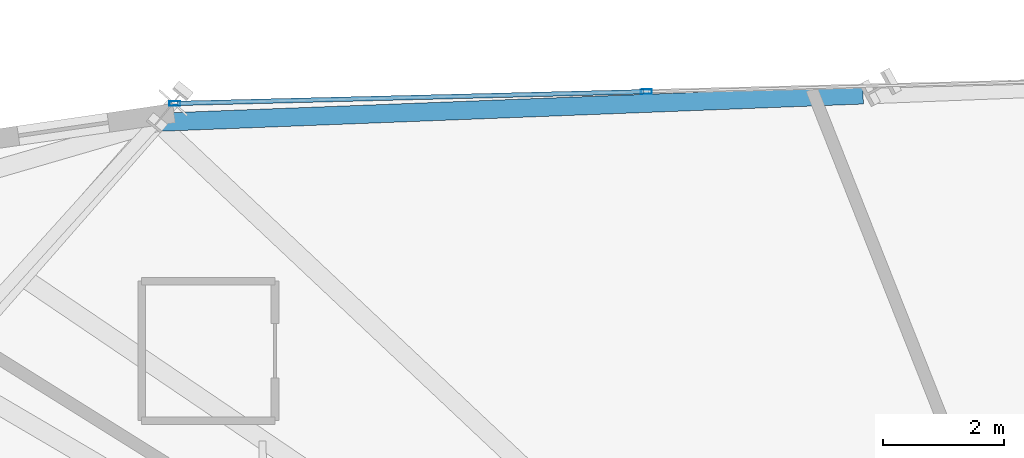
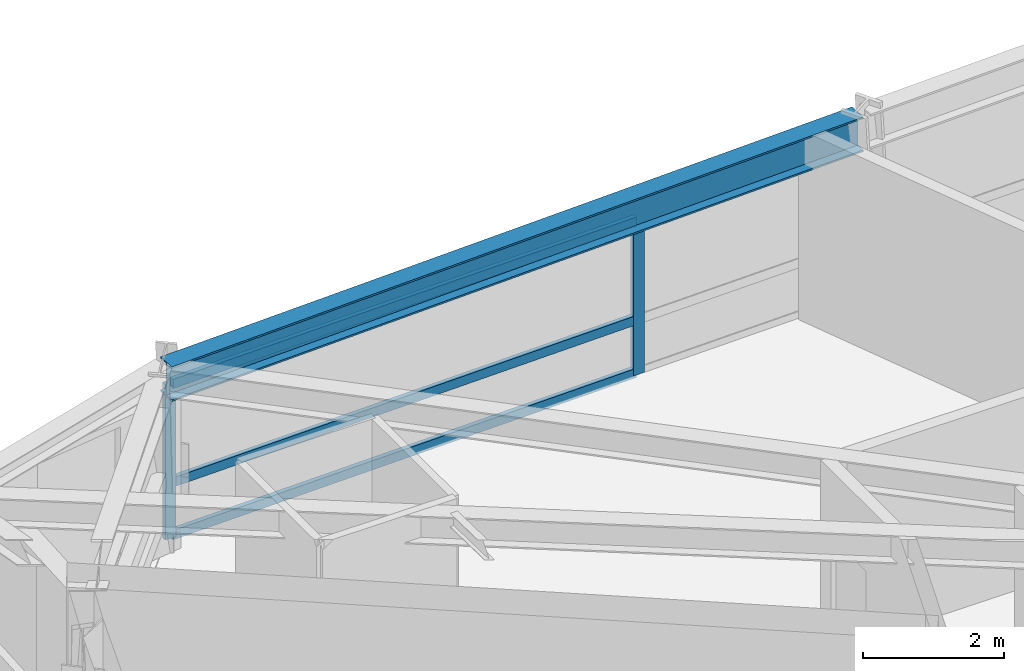
# One storey, part 6 of 20: 5 members, 1 beam, 1 element without a shape of its own.
"""IFC4 building model written with IfcOpenShell, lengths in metres."""

import ifcopenshell
import ifcopenshell.guid

model = None  # the IFC model being written
_history = None  # IfcOwnerHistory: only IFC2X3 demands one
_inside = {}  # id of a spatial element -> (the spatial element, [elements in it])
_under = {}  # id of a project, library or spatial element -> (it, [spatial elements below it])
_declared = {}  # id of a project -> (the project, [libraries it declares])
_typed = {}  # id of a type object -> (the type object, [elements of that type])
_made_of = {}  # id of a material, layer set ... -> (it, [elements and type objects made of it])


def new_model(schema):
    """Start an empty IFC model of exactly this schema.

    Asked for "IFC4X3", IfcOpenShell would pick the latest addendum, in which some entities
    have other attributes; the version numbers below select the first issue.
    IFC2X3 requires an IfcOwnerHistory on every rooted entity: one is made here for all.
    """
    global model, _history
    if schema == "IFC4X3":
        model = ifcopenshell.file(schema_version=(4, 3, 0, 0))
    else:
        model = ifcopenshell.file(schema=schema)
    _inside.clear()
    _under.clear()
    _declared.clear()
    _typed.clear()
    _made_of.clear()
    _history = None
    if model.schema == "IFC2X3":
        org = make("IfcOrganization", Name="unknown")
        user = make(
            "IfcPersonAndOrganization",
            ThePerson=make("IfcPerson", FamilyName="unknown"),
            TheOrganization=org,
        )
        app = make(
            "IfcApplication",
            ApplicationDeveloper=org,
            Version="unknown",
            ApplicationFullName="unknown",
            ApplicationIdentifier="unknown",
        )
        _history = make(
            "IfcOwnerHistory",
            OwningUser=user,
            OwningApplication=app,
            ChangeAction="ADDED",
            CreationDate=0,
        )
    return model


def make(cls, **values):
    """One entity of the class cls with the attributes given. An attribute that is None is left unset."""
    return model.create_entity(
        cls, **{name: value for name, value in values.items() if value is not None}
    )


def rooted(cls, **values):
    """An entity with a GlobalId (a new one), such as an element, a storey or a relation."""
    return make(cls, GlobalId=ifcopenshell.guid.new(), OwnerHistory=_history, **values)


def si_unit(unit_type, name, prefix=None):
    """IfcSIUnit, for example si_unit("LENGTHUNIT", "METRE", prefix="MILLI")."""
    return make("IfcSIUnit", UnitType=unit_type, Prefix=prefix, Name=name)


def assignment(units):
    """IfcUnitAssignment: the units of a project."""
    return None if units is None else make("IfcUnitAssignment", Units=units)


def point(xyz):
    """IfcCartesianPoint."""
    return None if xyz is None else make("IfcCartesianPoint", Coordinates=xyz)


def direction(xyz):
    """IfcDirection."""
    return None if xyz is None else make("IfcDirection", DirectionRatios=xyz)


def frame(location, z_axis=None, x_axis=None):
    """IfcAxis2Placement3D, a coordinate frame: its origin and axes. An axis left out is left unset."""
    return make(
        "IfcAxis2Placement3D",
        Location=point(location),
        Axis=direction(z_axis),
        RefDirection=direction(x_axis),
    )


def frame_2d(location, x_axis=None):
    """IfcAxis2Placement2D, a coordinate frame in the plane: its origin and x axis."""
    return make(
        "IfcAxis2Placement2D", Location=point(location), RefDirection=direction(x_axis)
    )


def origin():
    """The frame at (0, 0, 0) with its axes left unset."""
    return frame((0.0, 0.0, 0.0))


def origin_2d():
    """The frame at (0, 0) in the plane with its x axis left unset."""
    return frame_2d((0.0, 0.0))


def place(relative_to, where):
    """IfcLocalPlacement: puts the frame where relative to a parent placement (None: the world)."""
    return make(
        "IfcLocalPlacement", PlacementRelTo=relative_to, RelativePlacement=where
    )


def context(
    kind, dimensions, precision=None, world=None, true_north=None, identifier=None
):
    """IfcGeometricRepresentationContext, for example the 3D "Model" context."""
    return make(
        "IfcGeometricRepresentationContext",
        ContextIdentifier=identifier,
        ContextType=kind,
        CoordinateSpaceDimension=dimensions,
        Precision=precision,
        WorldCoordinateSystem=world,
        TrueNorth=true_north,
    )


def subcontext(parent, identifier, kind, view, scale=None):
    """IfcGeometricRepresentationSubContext, for example "Body" below "Model"."""
    return make(
        "IfcGeometricRepresentationSubContext",
        ContextIdentifier=identifier,
        ContextType=kind,
        ParentContext=parent,
        TargetScale=scale,
        TargetView=view,
    )


def project(units=None, contexts=None):
    """IfcProject with its units and contexts."""
    return rooted(
        "IfcProject",
        Name="project",
        RepresentationContexts=contexts,
        UnitsInContext=assignment(units),
    )


def spatial(cls, under=None, at=None, **own):
    """A site, building, storey or space (cls), placed at a placement, below another one or the project."""
    s = rooted(cls, ObjectPlacement=at, **own)
    if under is not None:
        _under.setdefault(under.id(), (under, []))[1].append(s)
    return s


def profile(cls, at=None, kind="AREA", **sizes):
    """A parametric profile (cls). Its sizes go by their IFC names, for example OverallWidth=200.0."""
    return make(cls, ProfileType=kind, Position=at, **sizes)


def hollow_rectangle(**sizes):
    """IfcRectangleHollowProfileDef."""
    return profile("IfcRectangleHollowProfileDef", **sizes)


def i_section(**sizes):
    """IfcIShapeProfileDef."""
    return profile("IfcIShapeProfileDef", **sizes)


def extrude(swept, where, along, depth):
    """IfcExtrudedAreaSolid: the profile swept, set in the frame where, extruded along a direction by depth."""
    return make(
        "IfcExtrudedAreaSolid",
        SweptArea=swept,
        Position=where,
        ExtrudedDirection=direction(along),
        Depth=depth,
    )


def shape(context_of_items, identifier, shape_type, items):
    """IfcShapeRepresentation: the items that make up one representation, for example the "Body"."""
    return make(
        "IfcShapeRepresentation",
        ContextOfItems=context_of_items,
        RepresentationIdentifier=identifier,
        RepresentationType=shape_type,
        Items=items,
    )


def source(mapping_origin, context_of_items, identifier, shape_type, items):
    """IfcRepresentationMap: a shape defined once, which mapped items show again and again."""
    return make(
        "IfcRepresentationMap",
        MappingOrigin=mapping_origin,
        MappedRepresentation=shape(context_of_items, identifier, shape_type, items),
    )


def transform(
    local_origin,
    x_axis=None,
    y_axis=None,
    z_axis=None,
    scale=None,
    scale2=None,
    scale3=None,
    uniform=True,
):
    """IfcCartesianTransformationOperator3D, or its non-uniform kind. x_axis, y_axis, z_axis: its Axis1, 2, 3."""
    if uniform:
        return make(
            "IfcCartesianTransformationOperator3D",
            Axis1=direction(x_axis),
            Axis2=direction(y_axis),
            LocalOrigin=point(local_origin),
            Scale=scale,
            Axis3=direction(z_axis),
        )
    return make(
        "IfcCartesianTransformationOperator3DnonUniform",
        Axis1=direction(x_axis),
        Axis2=direction(y_axis),
        LocalOrigin=point(local_origin),
        Scale=scale,
        Axis3=direction(z_axis),
        Scale2=scale2,
        Scale3=scale3,
    )


def mapped(mapping_source, mapping_target):
    """IfcMappedItem: shows the shape of a source again, moved by a transform."""
    return make(
        "IfcMappedItem", MappingSource=mapping_source, MappingTarget=mapping_target
    )


def material(Name=None, Category=None):
    """IfcMaterial."""
    return make("IfcMaterial", Name=Name, Category=Category)


def material_profile(
    of_material, cross_section, Name=None, Category=None, Priority=None
):
    """IfcMaterialProfile: a cross section and its material."""
    return make(
        "IfcMaterialProfile",
        Name=Name,
        Material=of_material,
        Profile=cross_section,
        Priority=Priority,
        Category=Category,
    )


def profile_set(profiles, Name=None, composite=None):
    """IfcMaterialProfileSet."""
    return make(
        "IfcMaterialProfileSet",
        Name=Name,
        MaterialProfiles=profiles,
        CompositeProfile=composite,
    )


def made_of(thing, what):
    """Note that an element or type object is made of a material, layer set ...; save() writes the relation."""
    if what is not None:
        _made_of.setdefault(what.id(), (what, []))[1].append(thing)
    return thing


def type_object(cls, material=None, **own):
    """A type object (cls), such as IfcWallType, which elements share."""
    return made_of(rooted(cls, **own), material)


def element(
    cls,
    number,
    at=None,
    inside=None,
    cuts=None,
    type_object=None,
    material=None,
    context=None,
    identifier="Body",
    shape_type=None,
    held_by="IfcProductDefinitionShape",
    body=None,
    shapes=None,
    **own,
):
    """One element of the class cls, such as IfcWall. Its Tag is "e" and its number.

    at: its placement. inside: the storey or other place that contains it. cuts: it is an
    opening in that element (IfcRelVoidsElement). A single representation is given by context,
    identifier, shape_type and body (its items); several are given by shapes. held_by: the class
    of the entity that holds the representations. save() writes the other relations.
    """
    e = rooted(cls, Tag="e%d" % number, ObjectPlacement=at, **own)
    if body is not None:
        shapes = [shape(context, identifier, shape_type, body)]
    if shapes is not None:
        e.Representation = make(held_by, Representations=shapes)
    if inside is not None:
        _inside.setdefault(inside.id(), (inside, []))[1].append(e)
    if cuts is not None:
        rooted(
            "IfcRelVoidsElement", RelatingBuildingElement=cuts, RelatedOpeningElement=e
        )
    if type_object is not None:
        _typed.setdefault(type_object.id(), (type_object, []))[1].append(e)
    return made_of(e, material)


def aggregate(whole, parts):
    """IfcRelAggregates: a whole, such as a stair, and the parts it consists of."""
    return rooted("IfcRelAggregates", RelatingObject=whole, RelatedObjects=parts)


def save(model, path):
    """Write the relations noted so far, then the file.

    IfcRelAggregates (storeys below a building ...), IfcRelContainedInSpatialStructure (elements
    in a storey), IfcRelDefinesByType, IfcRelAssociatesMaterial and IfcRelDeclares: one each for
    every whole, place, type object, material and project.
    """
    for whole, parts in _under.values():
        aggregate(whole, parts)
    for where, things in _inside.values():
        rooted(
            "IfcRelContainedInSpatialStructure",
            RelatedElements=things,
            RelatingStructure=where,
        )
    for kind, things in _typed.values():
        rooted("IfcRelDefinesByType", RelatedObjects=things, RelatingType=kind)
    for what, things in _made_of.values():
        rooted("IfcRelAssociatesMaterial", RelatedObjects=things, RelatingMaterial=what)
    for by, libraries in _declared.values():
        rooted("IfcRelDeclares", RelatingContext=by, RelatedDefinitions=libraries)
    model.write(path)


model = new_model("IFC4")

# Units and contexts
model_context = context("Model", 3, precision=1e-05, world=origin(), true_north=direction((0.0, 1.0)))
body_context = subcontext(model_context, "Body", "Model", "MODEL_VIEW")
ifc_project = project(units=[si_unit("LENGTHUNIT", "METRE"), si_unit("AREAUNIT", "SQUARE_METRE"), si_unit("VOLUMEUNIT", "CUBIC_METRE"), si_unit("PLANEANGLEUNIT", "RADIAN"), si_unit("MASSUNIT", "GRAM", prefix="KILO")], contexts=[model_context])

# Site, building, storey
site_placement = place(None, origin())
site = spatial("IfcSite", under=ifc_project, at=site_placement, CompositionType="ELEMENT")
building_placement = place(site_placement, origin())
building = spatial("IfcBuilding", under=site, at=building_placement, Name="Olszyna Solenne Hotel", CompositionType="ELEMENT")
storey_placement = place(building_placement, frame((0.0, 0.0, 98.60009765625)))
storey = spatial("IfcBuildingStorey", under=building, at=storey_placement, Name="L25", CompositionType="ELEMENT", Elevation=98.60009765625)

# Beam
ifc_material_1 = material(Name="Steel S355J2", Category="steel")
ifc_material_profile_1 = material_profile(ifc_material_1, i_section(OverallWidth=0.300048828125, OverallDepth=0.60009765625, WebThickness=0.015380859375, FlangeThickness=0.030029296875, at=origin_2d()), Name="HEB 600", Category="load-bearing")
ifc_profile_set_1 = profile_set([ifc_material_profile_1], Name="Steel S355J2")
beam_type = type_object("IfcBeamType", Name="BM-S2", PredefinedType="BEAM", material=ifc_profile_set_1)
shared_shape_1 = source(origin(), body_context, "Body", "SweptSolid", [
    extrude(i_section(OverallWidth=0.300048828125, OverallDepth=0.60009765625, WebThickness=0.015380859375, FlangeThickness=0.030029296875, at=origin_2d()), origin(), (0.0, 0.0, 1.0), 11.588134765625),
])
beam_placement = place(storey_placement, frame((32.106689453125, 43.53515625, 3.0), z_axis=(-0.999249144832, -0.038744632553, 0.0), x_axis=(0.038744632553, -0.999249144832, 0.0)))
element("IfcBeam", 1, at=beam_placement, inside=storey, type_object=beam_type, Name="Perimeter spandrel beam BM-S2 B-L25-0753", PredefinedType="BEAM", context=body_context, shape_type="MappedRepresentation", body=[
    mapped(shared_shape_1, transform((0.0, 0.0, 0.0), x_axis=(1.0, 0.0, 0.0), y_axis=(0.0, 1.0, 0.0), z_axis=(0.0, 0.0, 1.0), scale=1.0)),
])

# Curtain wall, members
ifc_material_2 = material(Name="Anodised bronze aluminium", Category="aluminium")
curtain_wall_type = type_object("IfcCurtainWallType", Name="CW-SYS-3", PredefinedType="NOTDEFINED", material=ifc_material_2)
curtain_wall_placement = place(storey_placement, origin())
curtain_wall = element("IfcCurtainWall", 2, at=curtain_wall_placement, inside=storey, type_object=curtain_wall_type, Name="Unitised curtain wall CW-SYS-3 CW-L25-02", PredefinedType="NOTDEFINED")
ifc_material_profile_2 = material_profile(ifc_material_2, hollow_rectangle(XDim=0.074951171875, YDim=0.179931640625, WallThickness=0.00439453125, at=origin_2d()), Name="MULL 180x75x4.5", Category="load-bearing")
ifc_profile_set_2 = profile_set([ifc_material_profile_2], Name="Anodised bronze aluminium")
member_type_1 = type_object("IfcMemberType", Name="CW-M2", PredefinedType="MULLION", material=ifc_profile_set_2)
shared_shape_2 = source(origin(), body_context, "Body", "SweptSolid", [
    extrude(hollow_rectangle(XDim=0.074951171875, YDim=0.179931640625, WallThickness=0.00439453125, at=origin_2d()), origin(), (0.0, 0.0, 1.0), 2.69189453125),
])
member_1_placement = place(storey_placement, frame((20.7568359375, 43.3955078125, 0.0), z_axis=(0.0, 0.0, 1.0), x_axis=(-0.025000076063, 0.999687449254, 0.0)))
member_1 = element("IfcMember", 3, at=member_1_placement, type_object=member_type_1, Name="Curtain-wall mullion CW-M2 CM-L25-02-01", PredefinedType="MULLION", context=body_context, shape_type="MappedRepresentation", body=[
    mapped(shared_shape_2, transform((0.0, 0.0, 0.0), x_axis=(1.0, 0.0, 0.0), y_axis=(0.0, 1.0, 0.0), z_axis=(0.0, 0.0, 1.0), scale=1.0)),
])
member_2_placement = place(storey_placement, frame((28.532958984375, 43.58984375, 0.0), z_axis=(0.0, 0.0, 1.0), x_axis=(-0.025000076063, 0.999687449254, 0.0)))
member_2 = element("IfcMember", 4, at=member_2_placement, type_object=member_type_1, Name="Curtain-wall mullion CW-M2 CM-L25-02-02", PredefinedType="MULLION", context=body_context, shape_type="MappedRepresentation", body=[
    mapped(shared_shape_2, transform((0.0, 0.0, 0.0), x_axis=(1.0, 0.0, 0.0), y_axis=(0.0, 1.0, 0.0), z_axis=(0.0, 0.0, 1.0), scale=1.0)),
])
ifc_material_profile_3 = material_profile(ifc_material_2, hollow_rectangle(XDim=0.074951171875, YDim=0.159912109375, WallThickness=0.00390625, at=origin_2d()), Name="TRAN 160x75x4", Category="load-bearing")
ifc_profile_set_3 = profile_set([ifc_material_profile_3], Name="Anodised bronze aluminium")
member_type_2 = type_object("IfcMemberType", Name="CW-T1", PredefinedType="USERDEFINED", material=ifc_profile_set_3)
shared_shape_3 = source(origin(), body_context, "Body", "SweptSolid", [
    extrude(hollow_rectangle(XDim=0.074951171875, YDim=0.159912109375, WallThickness=0.00390625, at=origin_2d()), origin(), (0.0, 0.0, 1.0), 7.703369140625),
])
member_3_placement = place(storey_placement, frame((20.79443359375, 43.396484375, 0.037353515625), z_axis=(0.999688101543, 0.02497397914, 0.0), x_axis=(-0.02497397914, 0.999688101543, 0.0)))
member_3 = element("IfcMember", 5, at=member_3_placement, type_object=member_type_2, Name="Curtain-wall transom CW-T1 CT-L25-02-01", ObjectType="TRANSOM", PredefinedType="USERDEFINED", context=body_context, shape_type="MappedRepresentation", body=[
    mapped(shared_shape_3, transform((0.0, 0.0, 0.0), x_axis=(1.0, 0.0, 0.0), y_axis=(0.0, 1.0, 0.0), z_axis=(0.0, 0.0, 1.0), scale=1.0)),
])
member_4_placement = place(storey_placement, frame((20.79443359375, 43.396484375, 0.949951171875), z_axis=(0.999688101543, 0.02497397914, 0.0), x_axis=(-0.02497397914, 0.999688101543, 0.0)))
member_4 = element("IfcMember", 6, at=member_4_placement, type_object=member_type_2, Name="Curtain-wall transom CW-T1 CT-L25-02-02", ObjectType="TRANSOM", PredefinedType="USERDEFINED", context=body_context, shape_type="MappedRepresentation", body=[
    mapped(shared_shape_3, transform((0.0, 0.0, 0.0), x_axis=(1.0, 0.0, 0.0), y_axis=(0.0, 1.0, 0.0), z_axis=(0.0, 0.0, 1.0), scale=1.0)),
])
member_5_placement = place(storey_placement, frame((20.79443359375, 43.396484375, 2.654296875), z_axis=(0.999688101543, 0.02497397914, 0.0), x_axis=(-0.02497397914, 0.999688101543, 0.0)))
member_5 = element("IfcMember", 7, at=member_5_placement, type_object=member_type_2, Name="Curtain-wall transom CW-T1 CT-L25-02-03", ObjectType="TRANSOM", PredefinedType="USERDEFINED", context=body_context, shape_type="MappedRepresentation", body=[
    mapped(shared_shape_3, transform((0.0, 0.0, 0.0), x_axis=(1.0, 0.0, 0.0), y_axis=(0.0, 1.0, 0.0), z_axis=(0.0, 0.0, 1.0), scale=1.0)),
])
aggregate(curtain_wall, [member_1, member_2, member_3, member_4, member_5])

save(model, "model.ifc")
